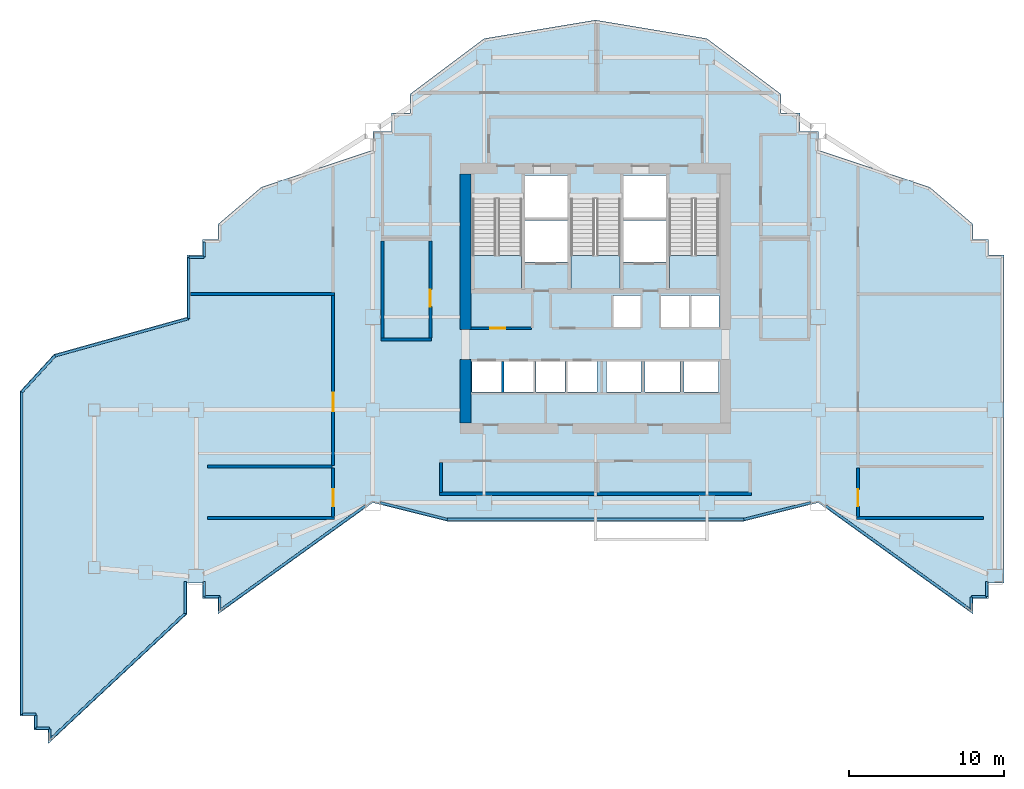
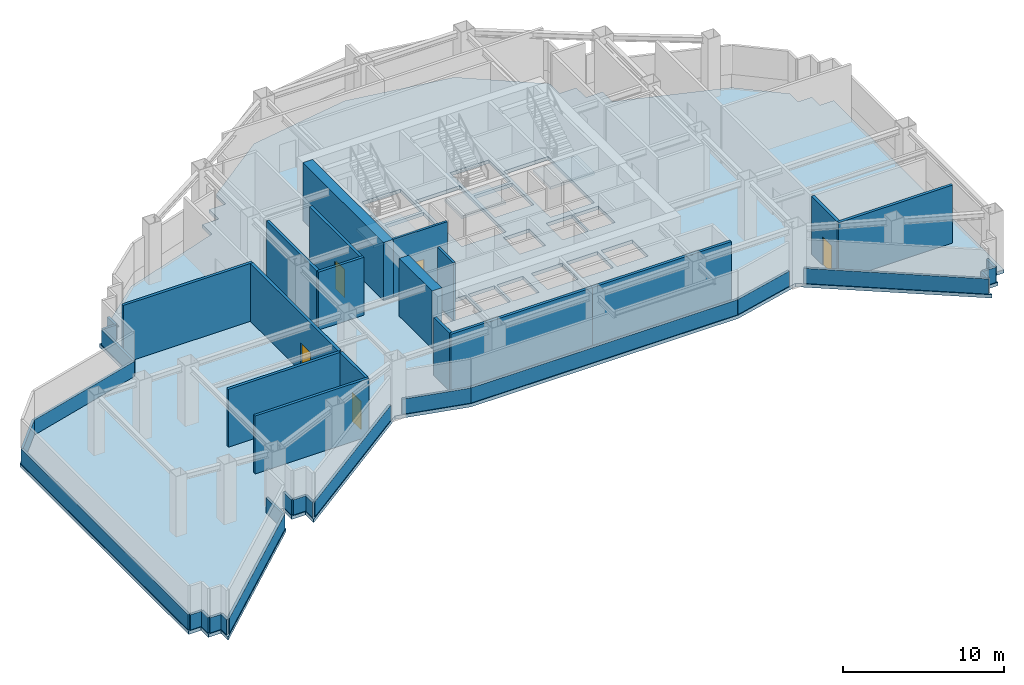
# One storey, part 2 of 12: 40 walls, 5 doors, 4 slabs, 5 openings, 3 elements without a shape of their own.
"""IFC4 building model written with IfcOpenShell, lengths in metres."""

from ifc_helpers import new_model, si_unit, direction, frame, frame_2d, origin, place, context, subcontext, project, spatial, polyline, rectangle, outline, extrude, material, layer, layer_set, type_object, element, fill, aggregate, save


model = new_model("IFC4")

# Units and contexts
model_context = context("Model", 3, precision=1e-05, world=origin(), true_north=direction((0.0, 1.0)))
body_context = subcontext(model_context, "Body", "Model", "MODEL_VIEW")
ifc_project = project(units=[si_unit("LENGTHUNIT", "METRE"), si_unit("AREAUNIT", "SQUARE_METRE"), si_unit("VOLUMEUNIT", "CUBIC_METRE"), si_unit("PLANEANGLEUNIT", "RADIAN"), si_unit("MASSUNIT", "GRAM", prefix="KILO")], contexts=[model_context])

# Site, building, storey
site_placement = place(None, origin())
site = spatial("IfcSite", under=ifc_project, at=site_placement, CompositionType="ELEMENT")
building_placement = place(site_placement, origin())
building = spatial("IfcBuilding", under=site, at=building_placement, Name="Haolan Belvedere Tower", CompositionType="ELEMENT")
storey_placement = place(building_placement, frame((0.0, 0.0, 136.39990234375)))
storey = spatial("IfcBuildingStorey", under=building, at=storey_placement, Name="L34", CompositionType="ELEMENT", Elevation=136.39990234375)

# Slab
ifc_material_1 = material(Name="Concrete C45/55", Category="concrete")
ifc_layer_1 = layer(ifc_material_1, 0.260009765625, Name="Concrete C45/55")
ifc_layer_set_1 = layer_set([ifc_layer_1], Name="Concrete C45/55")
slab_type_1 = type_object("IfcSlabType", Name="SL-FLR-260", PredefinedType="FLOOR", material=ifc_layer_set_1)
slab_1_placement = place(storey_placement, frame((0.0, 0.0, -0.260009765625)))
element("IfcSlab", 1, at=slab_1_placement, inside=storey, type_object=slab_type_1, Name="L34 structural floor slab", PredefinedType="FLOOR", context=body_context, shape_type="SweptSolid", body=[
    extrude(outline(polyline([(12.0, 14.39990234375), (12.0, 16.39990234375), (13.0, 16.39990234375), (13.0, 15.39990234375), (14.0, 15.39990234375), (14.0, 14.39990234375), (24.0, 21.60009765625), (28.800048828125, 20.39990234375), (48.0, 20.39990234375), (52.800048828125, 21.60009765625), (62.800048828125, 14.39990234375), (62.800048828125, 15.39990234375), (63.800048828125, 15.39990234375), (63.800048828125, 16.39990234375), (64.800048828125, 16.39990234375), (64.800048828125, 37.60009765625), (63.800048828125, 37.60009765625), (63.800048828125, 38.60009765625), (62.800048828125, 38.60009765625), (62.800048828125, 39.60009765625), (60.0, 42.0), (52.800048828125, 44.39990234375), (52.800048828125, 45.60009765625), (51.60009765625, 45.60009765625), (51.60009765625, 46.800048828125), (50.39990234375, 46.800048828125), (50.39990234375, 48.0), (45.60009765625, 51.60009765625), (38.39990234375, 52.800048828125), (31.199951171875, 51.60009765625), (26.39990234375, 48.0), (26.39990234375, 46.800048828125), (25.199951171875, 46.800048828125), (25.199951171875, 45.60009765625), (24.0, 45.60009765625), (24.0, 44.39990234375), (16.800048828125, 42.0), (14.0, 39.60009765625), (14.0, 38.60009765625), (13.0, 38.60009765625), (13.0, 37.60009765625), (12.0, 37.60009765625), (12.0, 33.60009765625), (3.39990234375, 31.199951171875), (1.199951171875, 28.800048828125), (1.199951171875, 8.39990234375), (1.199951171875, 7.800048828125), (2.10009765625, 7.800048828125), (2.10009765625, 6.89990234375), (3.0, 6.89990234375), (3.0, 6.0), (12.0, 14.39990234375)]), holes=[polyline([(30.449951171875, 41.22998046875), (30.449951171875, 35.449951171875), (33.6298828125, 35.449951171875), (33.6298828125, 41.22998046875), (30.449951171875, 41.22998046875)]), polyline([(36.81005859375, 41.22998046875), (36.81005859375, 35.449951171875), (39.989990234375, 35.449951171875), (39.989990234375, 41.22998046875), (36.81005859375, 41.22998046875)]), polyline([(43.169921875, 41.22998046875), (43.169921875, 35.449951171875), (46.35009765625, 35.449951171875), (46.35009765625, 41.22998046875), (43.169921875, 41.22998046875)]), polyline([(33.830078125, 40.050048828125), (36.610107421875, 40.050048828125), (36.610107421875, 42.75), (33.830078125, 42.75), (33.830078125, 40.050048828125)]), polyline([(33.830078125, 37.14990234375), (36.610107421875, 37.14990234375), (36.610107421875, 39.85009765625), (33.830078125, 39.85009765625), (33.830078125, 37.14990234375)]), polyline([(40.18994140625, 40.050048828125), (42.969970703125, 40.050048828125), (42.969970703125, 42.75), (40.18994140625, 42.75), (40.18994140625, 40.050048828125)]), polyline([(40.18994140625, 37.14990234375), (42.969970703125, 37.14990234375), (42.969970703125, 39.85009765625), (40.18994140625, 39.85009765625), (40.18994140625, 37.14990234375)]), polyline([(39.5400390625, 32.949951171875), (41.389892578125, 32.949951171875), (41.389892578125, 35.0), (39.5400390625, 35.0), (39.5400390625, 32.949951171875)]), polyline([(42.6201171875, 32.949951171875), (44.469970703125, 32.949951171875), (44.469970703125, 35.0), (42.6201171875, 35.0), (42.6201171875, 32.949951171875)]), polyline([(44.580078125, 32.949951171875), (46.3798828125, 32.949951171875), (46.3798828125, 35.0), (44.580078125, 35.0), (44.580078125, 32.949951171875)]), polyline([(30.419921875, 28.75), (32.320068359375, 28.75), (32.320068359375, 30.75), (30.419921875, 30.75), (30.419921875, 28.75)]), polyline([(32.47998046875, 28.75), (34.3798828125, 28.75), (34.3798828125, 30.75), (32.47998046875, 30.75), (32.47998046875, 28.75)]), polyline([(34.5400390625, 28.75), (36.43994140625, 28.75), (36.43994140625, 30.75), (34.5400390625, 30.75), (34.5400390625, 28.75)]), polyline([(36.60009765625, 28.75), (38.5, 28.75), (38.5, 30.75), (36.60009765625, 30.75), (36.60009765625, 28.75)]), polyline([(39.10009765625, 28.75), (41.340087890625, 28.75), (41.340087890625, 30.75), (39.10009765625, 30.75), (39.10009765625, 28.75)]), polyline([(41.610107421875, 28.75), (43.85009765625, 28.75), (43.85009765625, 30.75), (41.610107421875, 30.75), (41.610107421875, 28.75)]), polyline([(44.1201171875, 28.75), (46.360107421875, 28.75), (46.360107421875, 30.75), (44.1201171875, 30.75), (44.1201171875, 28.75)])]), origin(), (0.0, 0.0, 1.0), 0.260009765625),
])

# Stair, slab
ifc_material_2 = material(Name="Concrete C40/50", Category="concrete")
stair_type = type_object("IfcStairType", Name="STR-DL-28R-164", PredefinedType="HALF_TURN_STAIR", material=ifc_material_2)
stair_1_placement = place(storey_placement, origin())
stair_1 = element("IfcStair", 2, at=stair_1_placement, inside=storey, type_object=stair_type, Name="L34 Smokeproof Core Exit Stair ST1", PredefinedType="HALF_TURN_STAIR")
ifc_layer_2 = layer(ifc_material_2, 0.199951171875, Name="Concrete C40/50")
ifc_layer_set_2 = layer_set([ifc_layer_2], Name="Concrete C40/50")
slab_type_2 = type_object("IfcSlabType", Name="SL-LAND-200", PredefinedType="LANDING", material=ifc_layer_set_2)
slab_2_placement = place(storey_placement, frame((0.0, 0.0, 2.10009765625)))
slab_2 = element("IfcSlab", 3, at=slab_2_placement, type_object=slab_type_2, Name="ST1 landing 1", PredefinedType="LANDING", context=body_context, shape_type="SweptSolid", body=[
    extrude(outline(polyline([(30.449951171875, 37.590087890625), (30.449951171875, 35.449951171875), (33.6298828125, 35.449951171875), (33.6298828125, 37.590087890625), (30.449951171875, 37.590087890625)])), origin(), (0.0, 0.0, 1.0), 0.199951171875),
])
aggregate(stair_1, [slab_2])

stair_2_placement = place(storey_placement, origin())
stair_2 = element("IfcStair", 4, at=stair_2_placement, inside=storey, type_object=stair_type, Name="L34 Smokeproof Core Exit Stair ST3", PredefinedType="HALF_TURN_STAIR")
slab_3_placement = place(storey_placement, frame((0.0, 0.0, 2.10009765625)))
slab_3 = element("IfcSlab", 5, at=slab_3_placement, type_object=slab_type_2, Name="ST3 landing 1", PredefinedType="LANDING", context=body_context, shape_type="SweptSolid", body=[
    extrude(outline(polyline([(36.81005859375, 37.590087890625), (36.81005859375, 35.449951171875), (39.989990234375, 35.449951171875), (39.989990234375, 37.590087890625), (36.81005859375, 37.590087890625)])), origin(), (0.0, 0.0, 1.0), 0.199951171875),
])
aggregate(stair_2, [slab_3])

stair_3_placement = place(storey_placement, origin())
stair_3 = element("IfcStair", 6, at=stair_3_placement, inside=storey, type_object=stair_type, Name="L34 Smokeproof Core Exit Stair ST2", PredefinedType="HALF_TURN_STAIR")
slab_4_placement = place(storey_placement, frame((0.0, 0.0, 2.10009765625)))
slab_4 = element("IfcSlab", 7, at=slab_4_placement, type_object=slab_type_2, Name="ST2 landing 1", PredefinedType="LANDING", context=body_context, shape_type="SweptSolid", body=[
    extrude(outline(polyline([(43.169921875, 37.590087890625), (43.169921875, 35.449951171875), (46.35009765625, 35.449951171875), (46.35009765625, 37.590087890625), (43.169921875, 37.590087890625)])), origin(), (0.0, 0.0, 1.0), 0.199951171875),
])
aggregate(stair_3, [slab_4])

# Walls
ifc_material_3 = material(Name="Concrete C60/75", Category="concrete")
ifc_layer_3 = layer(ifc_material_3, 0.699951171875, Name="Concrete C60/75")
ifc_layer_set_3 = layer_set([ifc_layer_3], Name="Concrete C60/75")
wall_type_1 = type_object("IfcWallType", Name="WL-CORE-700", PredefinedType="SHEAR", material=ifc_layer_set_3)
wall_1_placement = place(storey_placement, frame((30.0, 26.75, 0.0), z_axis=(0.0, 0.0, 1.0), x_axis=(0.0, 1.0, 0.0)))
element("IfcWall", 8, at=wall_1_placement, inside=storey, type_object=wall_type_1, Name="L34 central core shear wall WS", PredefinedType="SHEAR", context=body_context, shape_type="SweptSolid", body=[
    extrude(rectangle(XDim=4.10009765625, YDim=0.699951171875, at=frame_2d((2.050048828125, 0.0))), origin(), (0.0, 0.0, 1.0), 4.400146484375),
])
wall_2_placement = place(storey_placement, frame((30.0, 32.800048828125, 0.0), z_axis=(0.0, 0.0, 1.0), x_axis=(0.0, 1.0, 0.0)))
element("IfcWall", 9, at=wall_2_placement, inside=storey, type_object=wall_type_1, Name="L34 central core shear wall WN", PredefinedType="SHEAR", context=body_context, shape_type="SweptSolid", body=[
    extrude(rectangle(XDim=10.050048828125, YDim=0.699951171875, at=frame_2d((5.02490234375, 0.0))), origin(), (0.0, 0.0, 1.0), 4.400146484375),
])
ifc_layer_4 = layer(ifc_material_2, 0.199951171875, Name="Concrete C40/50")
ifc_layer_set_4 = layer_set([ifc_layer_4], Name="Concrete C40/50")
wall_type_2 = type_object("IfcWallType", Name="WL-FIRE-200", PredefinedType="SOLIDWALL", material=ifc_layer_set_4)
wall_3_placement = place(storey_placement, frame((12.2119140625, 35.10009765625, 0.0), z_axis=(0.0, 0.0, 1.0), x_axis=(1.0, 0.0, 0.0)))
element("IfcWall", 10, at=wall_3_placement, inside=storey, type_object=wall_type_2, Name="L34 interior partition IW-L34-REF-W1-N", PredefinedType="SOLIDWALL", context=body_context, shape_type="SweptSolid", body=[
    extrude(rectangle(XDim=9.30810546875, YDim=0.199951171875, at=frame_2d((4.654052734375, 0.0))), origin(), (0.0, 0.0, 1.0), 4.400146484375),
])

# Wall, opening, door
wall_4_placement = place(storey_placement, frame((21.43994140625, 24.02001953125, 0.0), z_axis=(0.0, 0.0, 1.0), x_axis=(0.0, 1.0, 0.0)))
wall_4 = element("IfcWall", 11, at=wall_4_placement, inside=storey, type_object=wall_type_2, Name="L34 interior partition IW-L34-REF-W1-E", PredefinedType="SOLIDWALL", context=body_context, shape_type="SweptSolid", body=[
    extrude(rectangle(XDim=10.994873046875, YDim=0.199951171875, at=frame_2d((5.49755859375, 0.0))), origin(), (0.0, 0.0, 1.0), 4.400146484375),
])
opening_1_placement = place(wall_4_placement, frame((4.699951171875, 0.0, 0.0), z_axis=(0.0, 0.0, 1.0), x_axis=(-1.0, 0.0, 0.0)))
opening_1 = element("IfcOpeningElement", 12, at=opening_1_placement, cuts=wall_4, Name="Opening FD-02", PredefinedType="OPENING", context=body_context, shape_type="SweptSolid", body=[
    extrude(rectangle(XDim=1.199951171875, YDim=2.14990234375, at=frame_2d((0.60009765625, 1.074951171875))), frame((0.0, 0.10986328125, 0.0), z_axis=(0.0, -1.0, 0.0), x_axis=(1.0, 0.0, 0.0)), (0.0, 0.0, 1.0), 0.219970703125),
])
ifc_material_4 = material(Name="Galvanised fire-rated steel", Category="steel")
door_type_1 = type_object("IfcDoorType", Name="DR-FD90-1200", OperationType="NOTDEFINED", PredefinedType="DOOR", material=ifc_material_4)
door_1_placement = place(opening_1_placement, origin())
door_1 = element("IfcDoor", 13, at=door_1_placement, inside=storey, type_object=door_type_1, Name="L34 door ID-L34-REF-W1", OperationType="SINGLE_SWING_LEFT", OverallHeight=2.14990234375, OverallWidth=1.199951171875, PredefinedType="DOOR", context=body_context, shape_type="SweptSolid", body=[
    extrude(rectangle(XDim=1.199951171875, YDim=2.14990234375, at=frame_2d((0.60009765625, 1.074951171875))), frame((0.0, 0.02490234375, 0.0), z_axis=(0.0, -1.0, 0.0), x_axis=(1.0, 0.0, 0.0)), (0.0, 0.0, 1.0), 0.050048828125),
])
fill(opening_1, door_1)

# Walls
wall_5_placement = place(storey_placement, frame((24.5400390625, 32.14990234375, 0.0), z_axis=(0.0, 0.0, 1.0), x_axis=(1.0, 0.0, 0.0)))
element("IfcWall", 14, at=wall_5_placement, inside=storey, type_object=wall_type_2, Name="L34 interior partition IW-L34-REF-WI1-S", PredefinedType="SOLIDWALL", context=body_context, shape_type="SweptSolid", body=[
    extrude(rectangle(XDim=3.260009765625, YDim=0.199951171875, at=frame_2d((1.6298828125, 0.0))), origin(), (0.0, 0.0, 1.0), 4.400146484375),
])
wall_6_placement = place(storey_placement, frame((24.6201171875, 32.235107421875, 0.0), z_axis=(0.0, 0.0, 1.0), x_axis=(0.0, 1.0, 0.0)))
element("IfcWall", 15, at=wall_6_placement, inside=storey, type_object=wall_type_2, Name="L34 interior partition IW-L34-REF-WI1-W", PredefinedType="SOLIDWALL", context=body_context, shape_type="SweptSolid", body=[
    extrude(rectangle(XDim=6.27978515625, YDim=0.199951171875, at=frame_2d((3.139892578125, 0.0))), origin(), (0.0, 0.0, 1.0), 4.400146484375),
])

# Wall, opening, door
wall_7_placement = place(storey_placement, frame((27.719970703125, 32.235107421875, 0.0), z_axis=(0.0, 0.0, 1.0), x_axis=(0.0, 1.0, 0.0)))
wall_7 = element("IfcWall", 16, at=wall_7_placement, inside=storey, type_object=wall_type_2, Name="L34 interior partition IW-L34-REF-WI1-E", PredefinedType="SOLIDWALL", context=body_context, shape_type="SweptSolid", body=[
    extrude(rectangle(XDim=6.27978515625, YDim=0.199951171875, at=frame_2d((3.139892578125, 0.0))), origin(), (0.0, 0.0, 1.0), 4.400146484375),
])
opening_2_placement = place(wall_7_placement, frame((3.135009765625, 0.0, 0.0), z_axis=(0.0, 0.0, 1.0), x_axis=(-1.0, 0.0, 0.0)))
opening_2 = element("IfcOpeningElement", 17, at=opening_2_placement, cuts=wall_7, Name="Opening FD-03", PredefinedType="OPENING", context=body_context, shape_type="SweptSolid", body=[
    extrude(rectangle(XDim=1.10009765625, YDim=2.14990234375, at=frame_2d((0.550048828125, 1.074951171875))), frame((0.0, 0.10986328125, 0.0), z_axis=(0.0, -1.0, 0.0), x_axis=(1.0, 0.0, 0.0)), (0.0, 0.0, 1.0), 0.219970703125),
])
door_type_2 = type_object("IfcDoorType", Name="DR-FD90-1100", OperationType="NOTDEFINED", PredefinedType="DOOR", material=ifc_material_4)
door_2_placement = place(opening_2_placement, origin())
door_2 = element("IfcDoor", 18, at=door_2_placement, inside=storey, type_object=door_type_2, Name="L34 door ID-L34-REF-WI1", OperationType="SINGLE_SWING_LEFT", OverallHeight=2.14990234375, OverallWidth=1.10009765625, PredefinedType="DOOR", context=body_context, shape_type="SweptSolid", body=[
    extrude(rectangle(XDim=1.10009765625, YDim=2.14990234375, at=frame_2d((0.550048828125, 1.074951171875))), frame((0.0, 0.02490234375, 0.0), z_axis=(0.0, -1.0, 0.0), x_axis=(1.0, 0.0, 0.0)), (0.0, 0.0, 1.0), 0.050048828125),
])
fill(opening_2, door_2)

# Walls
wall_8_placement = place(storey_placement, frame((28.320068359375, 22.179931640625, 0.0), z_axis=(0.0, 0.0, 1.0), x_axis=(1.0, 0.0, 0.0)))
element("IfcWall", 19, at=wall_8_placement, inside=storey, type_object=wall_type_2, Name="L34 interior partition IW-L34-PLT-AHU-S", PredefinedType="SOLIDWALL", context=body_context, shape_type="SweptSolid", body=[
    extrude(rectangle(XDim=10.159912109375, YDim=0.199951171875, at=frame_2d((5.080078125, 0.0))), origin(), (0.0, 0.0, 1.0), 4.400146484375),
])
wall_9_placement = place(storey_placement, frame((28.39990234375, 22.264892578125, 0.0), z_axis=(0.0, 0.0, 1.0), x_axis=(0.0, 1.0, 0.0)))
element("IfcWall", 20, at=wall_9_placement, inside=storey, type_object=wall_type_2, Name="L34 interior partition IW-L34-PLT-AHU-W", PredefinedType="SOLIDWALL", context=body_context, shape_type="SweptSolid", body=[
    extrude(rectangle(XDim=1.9501953125, YDim=0.199951171875, at=frame_2d((0.97509765625, 0.0))), origin(), (0.0, 0.0, 1.0), 4.400146484375),
])
wall_10_placement = place(storey_placement, frame((38.485107421875, 22.179931640625, 0.0), z_axis=(0.0, 0.0, 1.0), x_axis=(1.0, 0.0, 0.0)))
element("IfcWall", 21, at=wall_10_placement, inside=storey, type_object=wall_type_2, Name="L34 interior partition IW-L34-PLT-CHW-S", PredefinedType="SOLIDWALL", context=body_context, shape_type="SweptSolid", body=[
    extrude(rectangle(XDim=9.994873046875, YDim=0.199951171875, at=frame_2d((4.99755859375, 0.0))), origin(), (0.0, 0.0, 1.0), 4.400146484375),
])
wall_11_placement = place(storey_placement, frame((13.320068359375, 23.93994140625, 0.0), z_axis=(0.0, 0.0, 1.0), x_axis=(1.0, 0.0, 0.0)))
element("IfcWall", 22, at=wall_11_placement, inside=storey, type_object=wall_type_2, Name="L34 interior partition IW-L34-PLT-SUB-N", PredefinedType="SOLIDWALL", context=body_context, shape_type="SweptSolid", body=[
    extrude(rectangle(XDim=8.034912109375, YDim=0.199951171875, at=frame_2d((4.017578125, 0.0))), origin(), (0.0, 0.0, 1.0), 4.400146484375),
])
wall_12_placement = place(storey_placement, frame((13.320068359375, 20.60009765625, 0.0), z_axis=(0.0, 0.0, 1.0), x_axis=(1.0, 0.0, 0.0)))
element("IfcWall", 23, at=wall_12_placement, inside=storey, type_object=wall_type_2, Name="L34 interior partition IW-L34-PLT-SUB-S", PredefinedType="SOLIDWALL", context=body_context, shape_type="SweptSolid", body=[
    extrude(rectangle(XDim=8.199951171875, YDim=0.199951171875, at=frame_2d((4.10009765625, 0.0))), origin(), (0.0, 0.0, 1.0), 4.400146484375),
])

# Wall, opening, door
wall_13_placement = place(storey_placement, frame((21.43994140625, 20.68505859375, 0.0), z_axis=(0.0, 0.0, 1.0), x_axis=(0.0, 1.0, 0.0)))
wall_13 = element("IfcWall", 24, at=wall_13_placement, inside=storey, type_object=wall_type_2, Name="L34 interior partition IW-L34-PLT-SUB-E", PredefinedType="SOLIDWALL", context=body_context, shape_type="SweptSolid", body=[
    extrude(rectangle(XDim=3.169921875, YDim=0.199951171875, at=frame_2d((1.5849609375, 0.0))), origin(), (0.0, 0.0, 1.0), 4.400146484375),
])
opening_3_placement = place(wall_13_placement, frame((1.78515625, 0.0, 0.0), z_axis=(0.0, 0.0, 1.0), x_axis=(-1.0, 0.0, 0.0)))
opening_3 = element("IfcOpeningElement", 25, at=opening_3_placement, cuts=wall_13, Name="Opening FD-03", PredefinedType="OPENING", context=body_context, shape_type="SweptSolid", body=[
    extrude(rectangle(XDim=1.10009765625, YDim=2.14990234375, at=frame_2d((0.550048828125, 1.074951171875))), frame((0.0, 0.10986328125, 0.0), z_axis=(0.0, -1.0, 0.0), x_axis=(1.0, 0.0, 0.0)), (0.0, 0.0, 1.0), 0.219970703125),
])
door_3_placement = place(opening_3_placement, origin())
door_3 = element("IfcDoor", 26, at=door_3_placement, inside=storey, type_object=door_type_2, Name="L34 door ID-L34-PLT-SUB", OperationType="SINGLE_SWING_RIGHT", OverallHeight=2.14990234375, OverallWidth=1.10009765625, PredefinedType="DOOR", context=body_context, shape_type="SweptSolid", body=[
    extrude(rectangle(XDim=1.10009765625, YDim=2.14990234375, at=frame_2d((0.550048828125, 1.074951171875))), frame((0.0, 0.02490234375, 0.0), z_axis=(0.0, -1.0, 0.0), x_axis=(1.0, 0.0, 0.0)), (0.0, 0.0, 1.0), 0.050048828125),
])
fill(opening_3, door_3)

# Wall
wall_14_placement = place(storey_placement, frame((55.280029296875, 20.60009765625, 0.0), z_axis=(0.0, 0.0, 1.0), x_axis=(1.0, 0.0, 0.0)))
element("IfcWall", 27, at=wall_14_placement, inside=storey, type_object=wall_type_2, Name="L34 interior partition IW-L34-PLT-TNK-S", PredefinedType="SOLIDWALL", context=body_context, shape_type="SweptSolid", body=[
    extrude(rectangle(XDim=8.199951171875, YDim=0.199951171875, at=frame_2d((4.10009765625, 0.0))), origin(), (0.0, 0.0, 1.0), 4.400146484375),
])

# Wall, opening, door
wall_15_placement = place(storey_placement, frame((55.360107421875, 20.68505859375, 0.0), z_axis=(0.0, 0.0, 1.0), x_axis=(0.0, 1.0, 0.0)))
wall_15 = element("IfcWall", 28, at=wall_15_placement, inside=storey, type_object=wall_type_2, Name="L34 interior partition IW-L34-PLT-TNK-W", PredefinedType="SOLIDWALL", context=body_context, shape_type="SweptSolid", body=[
    extrude(rectangle(XDim=3.169921875, YDim=0.199951171875, at=frame_2d((1.5849609375, 0.0))), origin(), (0.0, 0.0, 1.0), 4.400146484375),
])
opening_4_placement = place(wall_15_placement, frame((0.68505859375, 0.0, 0.0)))
opening_4 = element("IfcOpeningElement", 29, at=opening_4_placement, cuts=wall_15, Name="Opening FD-03", PredefinedType="OPENING", context=body_context, shape_type="SweptSolid", body=[
    extrude(rectangle(XDim=1.10009765625, YDim=2.14990234375, at=frame_2d((0.550048828125, 1.074951171875))), frame((0.0, 0.10986328125, 0.0), z_axis=(0.0, -1.0, 0.0), x_axis=(1.0, 0.0, 0.0)), (0.0, 0.0, 1.0), 0.219970703125),
])
door_4_placement = place(opening_4_placement, origin())
door_4 = element("IfcDoor", 30, at=door_4_placement, inside=storey, type_object=door_type_2, Name="L34 door ID-L34-PLT-TNK", OperationType="SINGLE_SWING_LEFT", OverallHeight=2.14990234375, OverallWidth=1.10009765625, PredefinedType="DOOR", context=body_context, shape_type="SweptSolid", body=[
    extrude(rectangle(XDim=1.10009765625, YDim=2.14990234375, at=frame_2d((0.550048828125, 1.074951171875))), frame((0.0, 0.02490234375, 0.0), z_axis=(0.0, -1.0, 0.0), x_axis=(1.0, 0.0, 0.0)), (0.0, 0.0, 1.0), 0.050048828125),
])
fill(opening_4, door_4)

# Walls
ifc_material_5 = material(Name="Precast concrete C40/50", Category="concrete")
ifc_layer_5 = layer(ifc_material_5, 0.159912109375, Name="Precast concrete C40/50")
ifc_layer_set_5 = layer_set([ifc_layer_5], Name="Precast concrete C40/50")
wall_type_3 = type_object("IfcWallType", Name="WL-PAR-160", PredefinedType="PARAPET", material=ifc_layer_set_5)
wall_16_placement = place(storey_placement, frame((13.1201171875, 16.52001953125, 0.0), z_axis=(0.0, 0.0, 1.0), x_axis=(0.0, -1.0, 0.0)))
element("IfcWall", 31, at=wall_16_placement, inside=storey, type_object=wall_type_3, Name="L34 refuge open-band parapet 2.1", PredefinedType="PARAPET", context=body_context, shape_type="SweptSolid", body=[
    extrude(rectangle(XDim=1.0, YDim=0.159912109375, at=frame_2d((0.5, 0.0))), origin(), (0.0, 0.0, 1.0), 1.150146484375),
])
wall_17_placement = place(storey_placement, frame((13.14990234375, 15.52001953125, 0.0), z_axis=(0.0, 0.0, 1.0), x_axis=(1.0, 0.0, 0.0)))
element("IfcWall", 32, at=wall_17_placement, inside=storey, type_object=wall_type_3, Name="L34 refuge open-band parapet 3.1", PredefinedType="PARAPET", context=body_context, shape_type="SweptSolid", body=[
    extrude(rectangle(XDim=0.97021484375, YDim=0.159912109375, at=frame_2d((0.485107421875, 0.0))), origin(), (0.0, 0.0, 1.0), 1.150146484375),
])
wall_18_placement = place(storey_placement, frame((14.1201171875, 15.489990234375, 0.0), z_axis=(0.0, 0.0, 1.0), x_axis=(0.0, -1.0, 0.0)))
element("IfcWall", 33, at=wall_18_placement, inside=storey, type_object=wall_type_3, Name="L34 refuge open-band parapet 4.1", PredefinedType="PARAPET", context=body_context, shape_type="SweptSolid", body=[
    extrude(rectangle(XDim=0.855712890625, YDim=0.159912109375, at=frame_2d((0.427734375, 0.0))), origin(), (0.0, 0.0, 1.0), 1.150146484375),
])
wall_19_placement = place(storey_placement, frame((14.193115234375, 14.68701171875, 0.0), z_axis=(0.0, 0.0, 1.0), x_axis=(0.811543217016, 0.584292398475, 0.0)))
element("IfcWall", 34, at=wall_19_placement, inside=storey, type_object=wall_type_3, Name="L34 refuge open-band parapet 5.1", PredefinedType="PARAPET", context=body_context, shape_type="SweptSolid", body=[
    extrude(rectangle(XDim=11.47802734375, YDim=0.159912109375, at=frame_2d((5.739013671875, 0.0))), origin(), (0.0, 0.0, 1.0), 1.150146484375),
])
wall_20_placement = place(storey_placement, frame((24.491943359375, 21.6005859375, 0.0), z_axis=(0.0, 0.0, 1.0), x_axis=(0.970148945932, -0.242509840432, 0.0)))
element("IfcWall", 35, at=wall_20_placement, inside=storey, type_object=wall_type_3, Name="L34 refuge open-band parapet 6.1", PredefinedType="PARAPET", context=body_context, shape_type="SweptSolid", body=[
    extrude(rectangle(XDim=4.455810546875, YDim=0.159912109375, at=frame_2d((2.22802734375, 0.0))), origin(), (0.0, 0.0, 1.0), 1.150146484375),
])
wall_21_placement = place(storey_placement, frame((28.814697265625, 20.52001953125, 0.0), z_axis=(0.0, 0.0, 1.0), x_axis=(1.0, 0.0, 0.0)))
element("IfcWall", 36, at=wall_21_placement, inside=storey, type_object=wall_type_3, Name="L34 refuge open-band parapet 7.1", PredefinedType="PARAPET", context=body_context, shape_type="SweptSolid", body=[
    extrude(rectangle(XDim=19.17041015625, YDim=0.159912109375, at=frame_2d((9.585205078125, 0.0))), origin(), (0.0, 0.0, 1.0), 1.150146484375),
])
wall_22_placement = place(storey_placement, frame((47.985107421875, 20.52001953125, 0.0), z_axis=(0.0, 0.0, 1.0), x_axis=(0.970152168055, 0.242496950122, 0.0)))
element("IfcWall", 37, at=wall_22_placement, inside=storey, type_object=wall_type_3, Name="L34 refuge open-band parapet 8.1", PredefinedType="PARAPET", context=body_context, shape_type="SweptSolid", body=[
    extrude(rectangle(XDim=4.4560546875, YDim=0.159912109375, at=frame_2d((2.22802734375, 0.0))), origin(), (0.0, 0.0, 1.0), 1.150146484375),
])
wall_23_placement = place(storey_placement, frame((53.2919921875, 21.3935546875, 0.0), z_axis=(0.0, 0.0, 1.0), x_axis=(0.811535942642, -0.584302501963, 0.0)))
element("IfcWall", 38, at=wall_23_placement, inside=storey, type_object=wall_type_3, Name="L34 refuge open-band parapet 9.1", PredefinedType="PARAPET", context=body_context, shape_type="SweptSolid", body=[
    extrude(rectangle(XDim=11.568115234375, YDim=0.159912109375, at=frame_2d((5.7841796875, 0.0))), origin(), (0.0, 0.0, 1.0), 1.150146484375),
])
wall_24_placement = place(storey_placement, frame((62.679931640625, 14.724365234375, 0.0), z_axis=(0.0, 0.0, 1.0), x_axis=(0.0, 1.0, 0.0)))
element("IfcWall", 39, at=wall_24_placement, inside=storey, type_object=wall_type_3, Name="L34 refuge open-band parapet 10.1", PredefinedType="PARAPET", context=body_context, shape_type="SweptSolid", body=[
    extrude(rectangle(XDim=0.795654296875, YDim=0.159912109375, at=frame_2d((0.39794921875, 0.0))), origin(), (0.0, 0.0, 1.0), 1.150146484375),
])
for number, where, z_axis, x_axis, name in (
    (40, (62.7099609375, 15.52001953125, 0.0), (0.0, 0.0, 1.0), (1.0, 0.0, 0.0), "L34 refuge open-band parapet 11.1"),
    (41, (63.679931640625, 15.550048828125, 0.0), (0.0, 0.0, 1.0), (0.0, 1.0, 0.0), "L34 refuge open-band parapet 12.1"),
    (42, (13.1201171875, 38.449951171875, 0.0), (0.0, 0.0, 1.0), (0.0, -1.0, 0.0), "L34 refuge open-band parapet 39.1"),
    (43, (13.090087890625, 37.47998046875, 0.0), (0.0, 0.0, 1.0), (-1.0, 0.0, 0.0), "L34 refuge open-band parapet 40.1"),
):
    element("IfcWall", number, at=place(storey_placement, frame(where, z_axis=z_axis, x_axis=x_axis)), inside=storey, type_object=wall_type_3, Name=name, PredefinedType="PARAPET", context=body_context, shape_type="SweptSolid", body=[
        extrude(rectangle(XDim=0.969970703125, YDim=0.159912109375, at=frame_2d((0.48486328125, 0.0))), origin(), (0.0, 0.0, 1.0), 1.150146484375),
    ])
wall_25_placement = place(storey_placement, frame((12.1201171875, 37.449951171875, 0.0), z_axis=(0.0, 0.0, 1.0), x_axis=(0.0, -1.0, 0.0)))
element("IfcWall", 44, at=wall_25_placement, inside=storey, type_object=wall_type_3, Name="L34 refuge open-band parapet 41.1", PredefinedType="PARAPET", context=body_context, shape_type="SweptSolid", body=[
    extrude(rectangle(XDim=3.941162109375, YDim=0.159912109375, at=frame_2d((1.970703125, 0.0))), origin(), (0.0, 0.0, 1.0), 1.150146484375),
])
wall_26_placement = place(storey_placement, frame((12.091064453125, 33.500732421875, 0.0), z_axis=(0.0, 0.0, 1.0), x_axis=(-0.963194988148, -0.26880367335, 0.0)))
element("IfcWall", 45, at=wall_26_placement, inside=storey, type_object=wall_type_3, Name="L34 refuge open-band parapet 42.1", PredefinedType="PARAPET", context=body_context, shape_type="SweptSolid", body=[
    extrude(rectangle(XDim=8.955322265625, YDim=0.159912109375, at=frame_2d((4.4775390625, 0.0))), origin(), (0.0, 0.0, 1.0), 1.150146484375),
])
wall_27_placement = place(storey_placement, frame((3.46533203125, 31.093505859375, 0.0), z_axis=(0.0, 0.0, 1.0), x_axis=(-0.675755969938, -0.737125409339, 0.0)))
element("IfcWall", 46, at=wall_27_placement, inside=storey, type_object=wall_type_3, Name="L34 refuge open-band parapet 43.1", PredefinedType="PARAPET", context=body_context, shape_type="SweptSolid", body=[
    extrude(rectangle(XDim=3.174560546875, YDim=0.159912109375, at=frame_2d((1.58740234375, 0.0))), origin(), (0.0, 0.0, 1.0), 1.150146484375),
])
wall_28_placement = place(storey_placement, frame((1.320068359375, 28.75341796875, 0.0), z_axis=(0.0, 0.0, 1.0), x_axis=(0.0, -1.0, 0.0)))
element("IfcWall", 47, at=wall_28_placement, inside=storey, type_object=wall_type_3, Name="L34 refuge open-band parapet 44.1", PredefinedType="PARAPET", context=body_context, shape_type="SweptSolid", body=[
    extrude(rectangle(XDim=20.83349609375, YDim=0.159912109375, at=frame_2d((10.416748046875, 0.0))), origin(), (0.0, 0.0, 1.0), 1.150146484375),
])
for number, where, z_axis, x_axis, name in (
    (48, (1.35009765625, 7.919921875, 0.0), (0.0, 0.0, 1.0), (1.0, 0.0, 0.0), "L34 refuge open-band parapet 45.1"),
    (49, (2.219970703125, 7.889892578125, 0.0), (0.0, 0.0, 1.0), (0.0, -1.0, 0.0), "L34 refuge open-band parapet 46.1"),
):
    element("IfcWall", number, at=place(storey_placement, frame(where, z_axis=z_axis, x_axis=x_axis)), inside=storey, type_object=wall_type_3, Name=name, PredefinedType="PARAPET", context=body_context, shape_type="SweptSolid", body=[
        extrude(rectangle(XDim=0.869873046875, YDim=0.159912109375, at=frame_2d((0.43505859375, 0.0))), origin(), (0.0, 0.0, 1.0), 1.150146484375),
    ])
wall_29_placement = place(storey_placement, frame((2.25, 7.02001953125, 0.0), z_axis=(0.0, 0.0, 1.0), x_axis=(1.0, 0.0, 0.0)))
element("IfcWall", 50, at=wall_29_placement, inside=storey, type_object=wall_type_3, Name="L34 refuge open-band parapet 47.1", PredefinedType="PARAPET", context=body_context, shape_type="SweptSolid", body=[
    extrude(rectangle(XDim=0.8701171875, YDim=0.159912109375, at=frame_2d((0.43505859375, 0.0))), origin(), (0.0, 0.0, 1.0), 1.150146484375),
])
wall_30_placement = place(storey_placement, frame((3.1201171875, 6.989990234375, 0.0), z_axis=(0.0, 0.0, 1.0), x_axis=(0.0, -1.0, 0.0)))
element("IfcWall", 51, at=wall_30_placement, inside=storey, type_object=wall_type_3, Name="L34 refuge open-band parapet 48.1", PredefinedType="PARAPET", context=body_context, shape_type="SweptSolid", body=[
    extrude(rectangle(XDim=0.7138671875, YDim=0.159912109375, at=frame_2d((0.35693359375, 0.0))), origin(), (0.0, 0.0, 1.0), 1.150146484375),
])
wall_31_placement = place(storey_placement, frame((3.207763671875, 6.35791015625, 0.0), z_axis=(0.0, 0.0, 1.0), x_axis=(0.731044317888, 0.682329982694, 0.0)))
element("IfcWall", 52, at=wall_31_placement, inside=storey, type_object=wall_type_3, Name="L34 refuge open-band parapet 49.1", PredefinedType="PARAPET", context=body_context, shape_type="SweptSolid", body=[
    extrude(rectangle(XDim=11.862548828125, YDim=0.159912109375, at=frame_2d((5.93115234375, 0.0))), origin(), (0.0, 0.0, 1.0), 1.150146484375),
])
wall_32_placement = place(storey_placement, frame((11.8798828125, 14.4521484375, 0.0), z_axis=(0.0, 0.0, 1.0), x_axis=(0.0, 1.0, 0.0)))
element("IfcWall", 53, at=wall_32_placement, inside=storey, type_object=wall_type_3, Name="L34 refuge open-band parapet 50.1", PredefinedType="PARAPET", context=body_context, shape_type="SweptSolid", body=[
    extrude(rectangle(XDim=2.06787109375, YDim=0.159912109375, at=frame_2d((1.033935546875, 0.0))), origin(), (0.0, 0.0, 1.0), 1.150146484375),
])

# Wall, opening, door
ifc_material_6 = material(Name="Gypsum fire shaftwall assembly", Category="masonry")
ifc_layer_6 = layer(ifc_material_6, 0.1650390625, Name="Gypsum fire shaftwall assembly")
ifc_layer_set_6 = layer_set([ifc_layer_6], Name="Gypsum fire shaftwall assembly")
wall_type_4 = type_object("IfcWallType", Name="WL-SHAFT-160", PredefinedType="SOLIDWALL", material=ifc_layer_set_6)
wall_33_placement = place(storey_placement, frame((30.35009765625, 32.8798828125, 0.0), z_axis=(0.0, 0.0, 1.0), x_axis=(1.0, 0.0, 0.0)))
wall_33 = element("IfcWall", 54, at=wall_33_placement, inside=storey, type_object=wall_type_4, Name="L34 interior partition IW-L34-ROW-PN1", PredefinedType="SOLIDWALL", context=body_context, shape_type="SweptSolid", body=[
    extrude(rectangle(XDim=3.89990234375, YDim=0.159912109375, at=frame_2d((1.949951171875, 0.0))), origin(), (0.0, 0.0, 1.0), 4.400146484375),
])
opening_5_placement = place(wall_33_placement, frame((2.199951171875, 0.0, 0.0), z_axis=(0.0, 0.0, 1.0), x_axis=(-1.0, 0.0, 0.0)))
opening_5 = element("IfcOpeningElement", 55, at=opening_5_placement, cuts=wall_33, Name="Opening ID-03", PredefinedType="OPENING", context=body_context, shape_type="SweptSolid", body=[
    extrude(rectangle(XDim=0.949951171875, YDim=2.1201171875, at=frame_2d((0.47509765625, 1.06005859375))), frame((0.0, 0.08984375, 0.0), z_axis=(0.0, -1.0, 0.0), x_axis=(1.0, 0.0, 0.0)), (0.0, 0.0, 1.0), 0.179931640625),
])
ifc_material_7 = material(Name="Painted solid-core timber", Category="wood")
door_type_3 = type_object("IfcDoorType", Name="DR-INT-950", OperationType="NOTDEFINED", PredefinedType="DOOR", material=ifc_material_7)
door_5_placement = place(opening_5_placement, origin())
door_5 = element("IfcDoor", 56, at=door_5_placement, inside=storey, type_object=door_type_3, Name="L34 door ID-L34-CD-RPLW", OperationType="SINGLE_SWING_LEFT", OverallHeight=2.1201171875, OverallWidth=0.949951171875, PredefinedType="DOOR", context=body_context, shape_type="SweptSolid", body=[
    extrude(rectangle(XDim=0.949951171875, YDim=2.1201171875, at=frame_2d((0.47509765625, 1.06005859375))), frame((0.0, 0.02490234375, 0.0), z_axis=(0.0, -1.0, 0.0), x_axis=(1.0, 0.0, 0.0)), (0.0, 0.0, 1.0), 0.050048828125),
])
fill(opening_5, door_5)

# Wall
wall_34_placement = place(storey_placement, frame((32.39990234375, 28.735107421875, 0.0), z_axis=(0.0, 0.0, 1.0), x_axis=(0.0, 1.0, 0.0)))
element("IfcWall", 57, at=wall_34_placement, inside=storey, type_object=wall_type_4, Name="L34 interior partition IW-L34-DIV-PM1", PredefinedType="SOLIDWALL", context=body_context, shape_type="SweptSolid", body=[
    extrude(rectangle(XDim=1.98486328125, YDim=0.14990234375, at=frame_2d((0.992431640625, 0.0))), origin(), (0.0, 0.0, 1.0), 4.400146484375),
])

save(model, "model.ifc")
